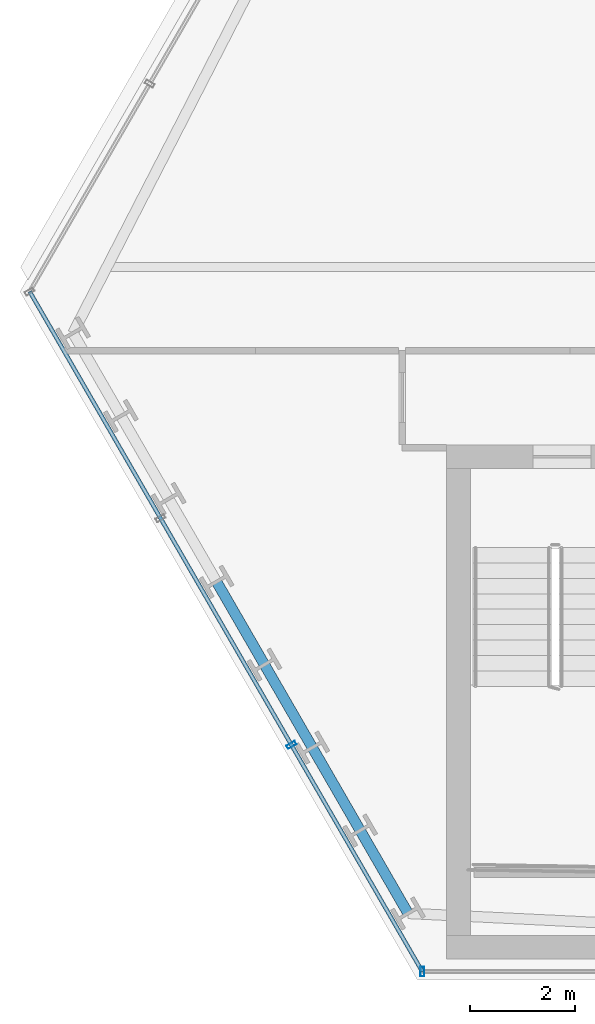
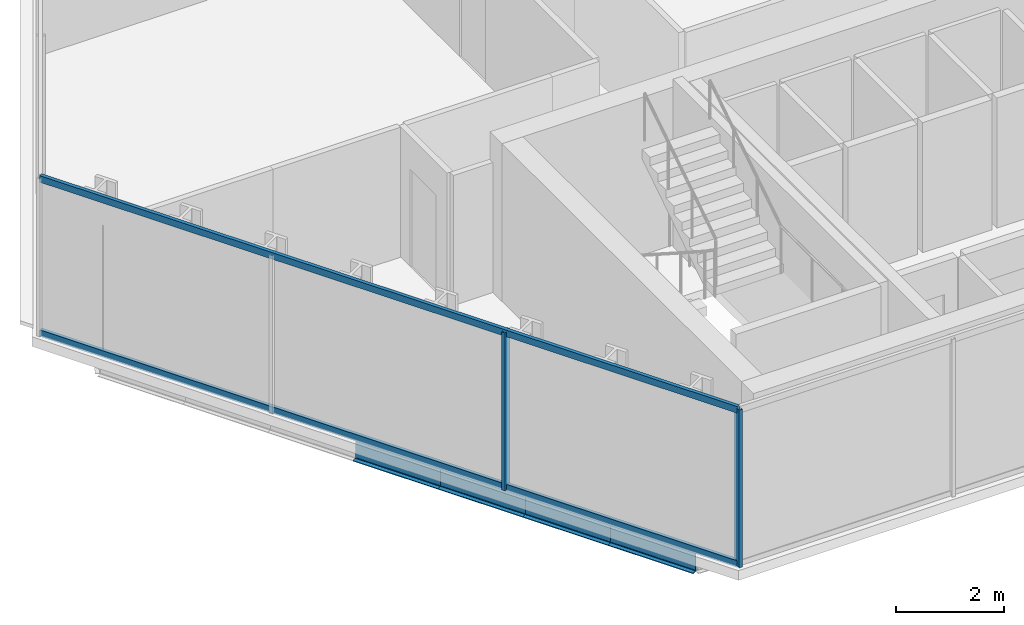
# One storey, part 2 of 32: 4 beams, 4 members, 2 elements without a shape of their own.
"""IFC4 building model written with IfcOpenShell, lengths in metres."""

from ifc_helpers import new_model, si_unit, direction, frame, origin, origin_2d, place, context, subcontext, project, spatial, hollow_rectangle, i_section, extrude, material, layer, layer_set, material_profile, profile_set, type_object, element, aggregate, save


model = new_model("IFC4")

# Units and contexts
model_context = context("Model", 3, precision=1e-05, world=origin(), true_north=direction((0.0, 1.0)))
body_context = subcontext(model_context, "Body", "Model", "MODEL_VIEW")
ifc_project = project(units=[si_unit("LENGTHUNIT", "METRE"), si_unit("AREAUNIT", "SQUARE_METRE"), si_unit("VOLUMEUNIT", "CUBIC_METRE"), si_unit("PLANEANGLEUNIT", "RADIAN"), si_unit("MASSUNIT", "GRAM", prefix="KILO")], contexts=[model_context])

# Site, building, storey
site_placement = place(None, origin())
site = spatial("IfcSite", under=ifc_project, at=site_placement, CompositionType="ELEMENT")
building_placement = place(site_placement, origin())
building = spatial("IfcBuilding", under=site, at=building_placement, Name="Ndaravel Arena Tower", CompositionType="ELEMENT")
storey_placement = place(building_placement, frame((0.0, 0.0, 70.199951171875)))
storey = spatial("IfcBuildingStorey", under=building, at=storey_placement, Name="L15", CompositionType="ELEMENT", Elevation=70.199951171875)

# Beams
ifc_material_1 = material(Name="Steel S355", Category="steel")
ifc_material_profile_1 = material_profile(ifc_material_1, i_section(OverallWidth=0.199951171875, OverallDepth=0.5, WebThickness=0.01025390625, FlangeThickness=0.01611328125, FilletRadius=0.02099609375, at=origin_2d()), Name="IPE 500")
ifc_profile_set_1 = profile_set([ifc_material_profile_1], Name="Steel S355")
beam_type = type_object("IfcBeamType", Name="BM-SPAN-IPE500", PredefinedType="SPANDREL", material=ifc_profile_set_1)
beam_1_placement = place(storey_placement, frame((22.0625, 12.593994140625, -0.469970703125), z_axis=(0.500065901226, -0.86598735235, 0.0), x_axis=(0.86598735235, 0.500065901226, 0.0)))
element("IfcBeam", 1, at=beam_1_placement, inside=storey, type_object=beam_type, Name="L15 Perimeter Spandrel Beam SP-23", PredefinedType="SPANDREL", context=body_context, shape_type="SweptSolid", body=[
    extrude(i_section(OverallWidth=0.199951171875, OverallDepth=0.5, WebThickness=0.01025390625, FlangeThickness=0.01611328125, FilletRadius=0.02099609375, at=origin_2d()), origin(), (0.0, 0.0, 1.0), 1.825439453125),
])
beam_2_placement = place(storey_placement, frame((22.975341796875, 11.01318359375, -0.469970703125), z_axis=(0.500007989214, -0.866020791161, 0.0), x_axis=(0.866020791161, 0.500007989214, 0.0)))
element("IfcBeam", 2, at=beam_2_placement, inside=storey, type_object=beam_type, Name="L15 Perimeter Spandrel Beam SP-24", PredefinedType="SPANDREL", context=body_context, shape_type="SweptSolid", body=[
    extrude(i_section(OverallWidth=0.199951171875, OverallDepth=0.5, WebThickness=0.01025390625, FlangeThickness=0.01611328125, FilletRadius=0.02099609375, at=origin_2d()), origin(), (0.0, 0.0, 1.0), 1.82568359375),
])
for number, where, z_axis, x_axis, name in (
    (3, (23.88818359375, 9.43212890625, -0.469970703125), (0.499965592563, -0.866045268016, 0.0), (0.866045268016, 0.499965592563, 0.0), "L15 Perimeter Spandrel Beam SP-25"),
    (4, (24.80078125, 7.851318359375, -0.469970703125), (0.499965592563, -0.866045268016, 0.0), (0.866045268016, 0.499965592563, 0.0), "L15 Perimeter Spandrel Beam SP-26"),
):
    element("IfcBeam", number, at=place(storey_placement, frame(where, z_axis=z_axis, x_axis=x_axis)), inside=storey, type_object=beam_type, Name=name, PredefinedType="SPANDREL", context=body_context, shape_type="SweptSolid", body=[
        extrude(i_section(OverallWidth=0.199951171875, OverallDepth=0.5, WebThickness=0.01025390625, FlangeThickness=0.01611328125, FilletRadius=0.02099609375, at=origin_2d()), origin(), (0.0, 0.0, 1.0), 1.825439453125),
    ])

# Curtain wall, member
ifc_material_2 = material(Name="Aluminium", Category="aluminium")
ifc_layer_1 = layer(ifc_material_2, 0.179931640625)
ifc_layer_set_1 = layer_set([ifc_layer_1], Name="Aluminium")
curtain_wall_type_1 = type_object("IfcCurtainWallType", Name="CW-SYS-03", PredefinedType="NOTDEFINED", material=ifc_layer_set_1)
curtain_wall_1_placement = place(storey_placement, origin())
curtain_wall_1 = element("IfcCurtainWall", 5, at=curtain_wall_1_placement, inside=storey, type_object=curtain_wall_type_1, Name="L15 Faceted Crystal Curtain Wall CW-L15-E01", PredefinedType="NOTDEFINED")
ifc_material_3 = material(Name="Aluminium", Category="aluminium")
ifc_material_profile_2 = material_profile(ifc_material_3, hollow_rectangle(XDim=0.074951171875, YDim=0.179931640625, WallThickness=0.00390625, at=origin_2d()), Name="CW MULLION 75x180x4")
ifc_profile_set_2 = profile_set([ifc_material_profile_2], Name="Aluminium")
member_type_1 = type_object("IfcMemberType", Name="MEM-CW-MUL180", PredefinedType="MULLION", material=ifc_profile_set_2)
member_1_placement = place(storey_placement, frame((25.985107421875, 5.159912109375, 0.0), z_axis=(0.0, 0.0, 1.0), x_axis=(1.0, 0.0, 0.0)))
member_1 = element("IfcMember", 6, at=member_1_placement, type_object=member_type_1, Name="CW-L15-E01 Mullion 00", PredefinedType="MULLION", context=body_context, shape_type="SweptSolid", body=[
    extrude(hollow_rectangle(XDim=0.074951171875, YDim=0.179931640625, WallThickness=0.00390625, at=origin_2d()), origin(), (0.0, 0.0, 1.0), 3.580078125),
])
aggregate(curtain_wall_1, [member_1])

# Curtain wall, members
ifc_material_4 = material(Name="Aluminium", Category="aluminium")
ifc_layer_2 = layer(ifc_material_4, 0.179931640625)
ifc_layer_set_2 = layer_set([ifc_layer_2], Name="Aluminium")
curtain_wall_type_2 = type_object("IfcCurtainWallType", Name="CW-SYS-02", PredefinedType="NOTDEFINED", material=ifc_layer_set_2)
curtain_wall_2_placement = place(storey_placement, origin())
curtain_wall_2 = element("IfcCurtainWall", 7, at=curtain_wall_2_placement, inside=storey, type_object=curtain_wall_type_2, Name="L15 Faceted Crystal Curtain Wall CW-L15-E06", PredefinedType="NOTDEFINED")
member_2_placement = place(storey_placement, frame((23.48974609375, 9.482421875, 0.0), z_axis=(0.0, 0.0, 1.0), x_axis=(0.5, -0.866025403784, 0.0)))
member_2 = element("IfcMember", 8, at=member_2_placement, type_object=member_type_1, Name="CW-L15-E06 Mullion 02", PredefinedType="MULLION", context=body_context, shape_type="SweptSolid", body=[
    extrude(hollow_rectangle(XDim=0.074951171875, YDim=0.179931640625, WallThickness=0.00390625, at=origin_2d()), origin(), (0.0, 0.0, 1.0), 3.580078125),
])
ifc_material_5 = material(Name="Aluminium", Category="aluminium")
ifc_material_profile_3 = material_profile(ifc_material_5, hollow_rectangle(XDim=0.074951171875, YDim=0.14990234375, WallThickness=0.00390625, at=origin_2d()), Name="CW TRANSOM 75x150x4")
ifc_profile_set_3 = profile_set([ifc_material_profile_3], Name="Aluminium")
member_type_2 = type_object("IfcMemberType", Name="MEM-CW-TRN150", PredefinedType="USERDEFINED", material=ifc_profile_set_3)
member_3_placement = place(storey_placement, frame((18.49853515625, 18.127197265625, 0.0400390625), z_axis=(0.499995326169, -0.866028102205, 0.0), x_axis=(0.866028102205, 0.499995326169, 0.0)))
member_3 = element("IfcMember", 9, at=member_3_placement, type_object=member_type_2, Name="CW-L15-E06 Transom 01", ObjectType="TRANSOM", PredefinedType="USERDEFINED", context=body_context, shape_type="SweptSolid", body=[
    extrude(hollow_rectangle(XDim=0.074951171875, YDim=0.14990234375, WallThickness=0.00390625, at=origin_2d()), origin(), (0.0, 0.0, 1.0), 14.973388671875),
])
member_4_placement = place(storey_placement, frame((18.49853515625, 18.127197265625, 3.5400390625), z_axis=(0.499995326169, -0.866028102205, 0.0), x_axis=(0.866028102205, 0.499995326169, 0.0)))
member_4 = element("IfcMember", 10, at=member_4_placement, type_object=member_type_2, Name="CW-L15-E06 Transom 02", ObjectType="TRANSOM", PredefinedType="USERDEFINED", context=body_context, shape_type="SweptSolid", body=[
    extrude(hollow_rectangle(XDim=0.074951171875, YDim=0.14990234375, WallThickness=0.00390625, at=origin_2d()), origin(), (0.0, 0.0, 1.0), 14.973388671875),
])
aggregate(curtain_wall_2, [member_2, member_3, member_4])

save(model, "model.ifc")
